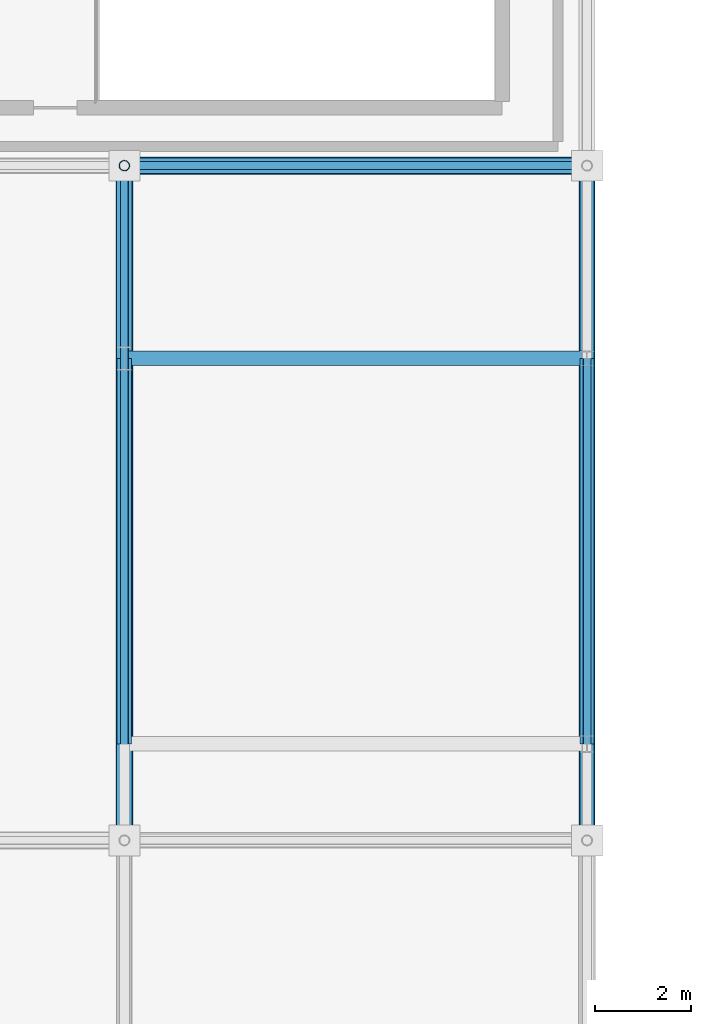
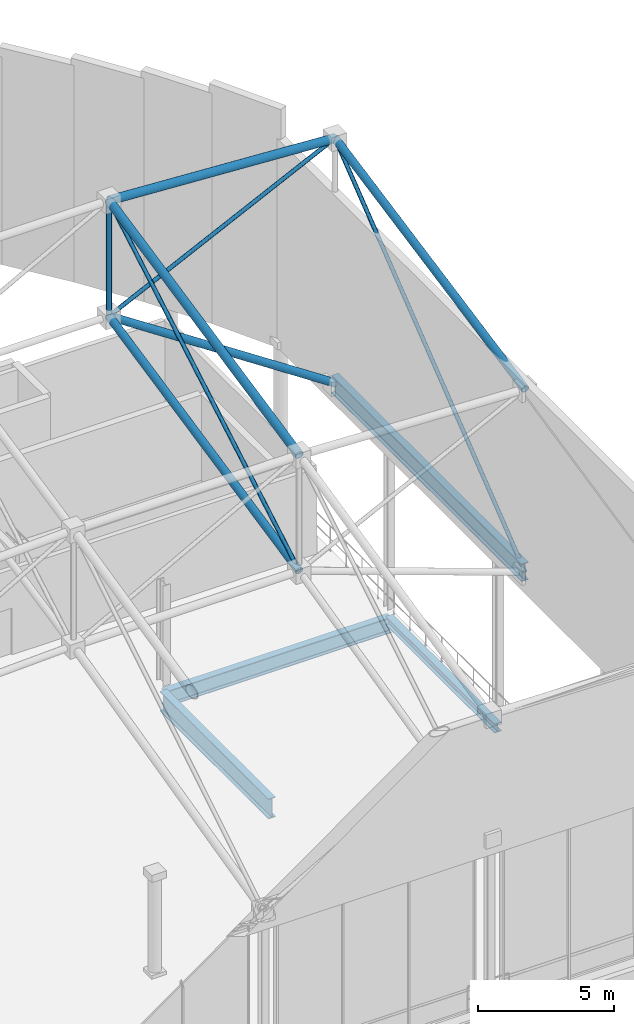
# One storey, part 119 of 193: 9 members, 4 beams.
"""IFC4 building model written with IfcOpenShell, lengths in metres."""

from ifc_helpers import new_model, si_unit, direction, frame, origin, origin_2d, place, context, subcontext, project, spatial, hollow_circle, i_section, extrude, material, material_profile, profile_set, type_object, element, save


model = new_model("IFC4")

# Units and contexts
model_context = context("Model", 3, precision=1e-05, world=origin(), true_north=direction((0.0, 1.0)))
body_context = subcontext(model_context, "Body", "Model", "MODEL_VIEW")
ifc_project = project(units=[si_unit("LENGTHUNIT", "METRE"), si_unit("AREAUNIT", "SQUARE_METRE"), si_unit("VOLUMEUNIT", "CUBIC_METRE"), si_unit("PLANEANGLEUNIT", "RADIAN"), si_unit("MASSUNIT", "GRAM", prefix="KILO")], contexts=[model_context])

# Site, building, storey
site_placement = place(None, origin())
site = spatial("IfcSite", under=ifc_project, at=site_placement, CompositionType="ELEMENT")
building_placement = place(site_placement, origin())
building = spatial("IfcBuilding", under=site, at=building_placement, Name="Danafjord Basin Convention Centre", CompositionType="ELEMENT")
storey_placement = place(building_placement, frame((0.0, 0.0, 11.39990234375)))
storey = spatial("IfcBuildingStorey", under=building, at=storey_placement, Name="L02", CompositionType="ELEMENT", Elevation=11.39990234375)

# Beams
ifc_material = material(Name="Steel S355", Category="steel")
ifc_material_profile_1 = material_profile(ifc_material, i_section(OverallWidth=0.300048828125, OverallDepth=0.699951171875, WebThickness=0.01708984375, FlangeThickness=0.031982421875, FilletRadius=0.027099609375, at=origin_2d()), Name="HEB 700")
ifc_profile_set_1 = profile_set([ifc_material_profile_1], Name="Steel S355")
beam_type_1 = type_object("IfcBeamType", Name="BEAM-BM-HEB700", PredefinedType="BEAM", material=ifc_profile_set_1)
beam_1_placement = place(storey_placement, frame((192.0, 112.0, -0.7099609375), z_axis=(1.0, 0.0, 0.0), x_axis=(0.0, 1.0, 0.0)))
element("IfcBeam", 1, at=beam_1_placement, inside=storey, type_object=beam_type_1, Name="L02 girder BM-HEB700", PredefinedType="BEAM", context=body_context, shape_type="SweptSolid", body=[
    extrude(i_section(OverallWidth=0.300048828125, OverallDepth=0.699951171875, WebThickness=0.01708984375, FlangeThickness=0.031982421875, FilletRadius=0.027099609375, at=origin_2d()), origin(), (0.0, 0.0, 1.0), 9.60009765625),
])
ifc_material_profile_2 = material_profile(ifc_material, i_section(OverallWidth=0.300048828125, OverallDepth=0.800048828125, WebThickness=0.017578125, FlangeThickness=0.032958984375, FilletRadius=0.030029296875, at=origin_2d()), Name="HEB 800")
ifc_profile_set_2 = profile_set([ifc_material_profile_2], Name="Steel S355")
beam_type_2 = type_object("IfcBeamType", Name="BEAM-BM-HEB800", PredefinedType="BEAM", material=ifc_profile_set_2)
beam_2_placement = place(storey_placement, frame((201.60009765625, 102.0, 7.650146484375), z_axis=(0.0, 1.0, 0.0), x_axis=(-1.0, 0.0, 0.0)))
element("IfcBeam", 2, at=beam_2_placement, inside=storey, type_object=beam_type_2, Name="V2 space-frame perimeter ring girder", PredefinedType="BEAM", context=body_context, shape_type="SweptSolid", body=[
    extrude(i_section(OverallWidth=0.300048828125, OverallDepth=0.800048828125, WebThickness=0.017578125, FlangeThickness=0.032958984375, FilletRadius=0.030029296875, at=origin_2d()), origin(), (0.0, 0.0, 1.0), 14.0),
])
ifc_material_profile_3 = material_profile(ifc_material, i_section(OverallWidth=0.300048828125, OverallDepth=0.89990234375, WebThickness=0.0185546875, FlangeThickness=0.034912109375, FilletRadius=0.030029296875, at=origin_2d()), Name="HEB 900")
ifc_profile_set_3 = profile_set([ifc_material_profile_3], Name="Steel S355")
beam_type_3 = type_object("IfcBeamType", Name="BEAM-BM-HEB900", PredefinedType="BEAM", material=ifc_profile_set_3)
beam_3_placement = place(storey_placement, frame((192.0, 104.0, -0.809814453125), z_axis=(0.0, 1.0, 0.0), x_axis=(-1.0, 0.0, 0.0)))
element("IfcBeam", 3, at=beam_3_placement, inside=storey, type_object=beam_type_3, Name="L02 transverse girder BM-HEB900", PredefinedType="BEAM", context=body_context, shape_type="SweptSolid", body=[
    extrude(i_section(OverallWidth=0.300048828125, OverallDepth=0.89990234375, WebThickness=0.0185546875, FlangeThickness=0.034912109375, FilletRadius=0.030029296875, at=origin_2d()), origin(), (0.0, 0.0, 1.0), 8.0),
])
ifc_material_profile_4 = material_profile(ifc_material, i_section(OverallWidth=0.300048828125, OverallDepth=0.39990234375, WebThickness=0.013427734375, FlangeThickness=0.02392578125, FilletRadius=0.027099609375, at=origin_2d()), Name="HEB 400")
ifc_profile_set_4 = profile_set([ifc_material_profile_4], Name="Steel S355")
beam_type_4 = type_object("IfcBeamType", Name="BEAM-SP-HEB400", PredefinedType="SPANDREL", material=ifc_profile_set_4)
beam_4_placement = place(storey_placement, frame((201.60009765625, 104.0, -0.559814453125), z_axis=(0.0, 1.0, 0.0), x_axis=(-1.0, 0.0, 0.0)))
element("IfcBeam", 4, at=beam_4_placement, inside=storey, type_object=beam_type_4, Name="L02 transverse girder SP-HEB400", PredefinedType="SPANDREL", context=body_context, shape_type="SweptSolid", body=[
    extrude(i_section(OverallWidth=0.300048828125, OverallDepth=0.39990234375, WebThickness=0.013427734375, FlangeThickness=0.02392578125, FilletRadius=0.027099609375, at=origin_2d()), origin(), (0.0, 0.0, 1.0), 8.0),
])

# Members
ifc_material_profile_5 = material_profile(ifc_material, hollow_circle(Radius=0.161865234375, WallThickness=0.01611328125, at=origin_2d()), Name="CHS 323.9x16.0")
ifc_profile_set_5 = profile_set([ifc_material_profile_5], Name="Steel S355")
member_type_1 = type_object("IfcMemberType", Name="MEM-CH-CHS324", PredefinedType="CHORD", material=ifc_profile_set_5)
member_1_placement = place(storey_placement, frame((192.0, 102.0, 11.059814453125), z_axis=(0.0, 0.978472048473, 0.206379384526), x_axis=(-1.0, 0.0, 0.0)))
element("IfcMember", 5, at=member_1_placement, inside=storey, type_object=member_type_1, Name="V2 roof truss transverse bottom chord", PredefinedType="CHORD", context=body_context, shape_type="SweptSolid", body=[
    extrude(hollow_circle(Radius=0.161865234375, WallThickness=0.01611328125, at=origin_2d()), origin(), (0.0, 0.0, 1.0), 14.30810546875),
])
member_2_placement = place(storey_placement, frame((192.0, 116.0, 14.0126953125), z_axis=(0.833550670851, 0.0, -0.552443009843), x_axis=(0.0, 1.0, 0.0)))
element("IfcMember", 6, at=member_2_placement, inside=storey, type_object=member_type_1, Name="V2 roof truss longitudinal bottom chord", PredefinedType="CHORD", context=body_context, shape_type="SweptSolid", body=[
    extrude(hollow_circle(Radius=0.161865234375, WallThickness=0.01611328125, at=origin_2d()), origin(), (0.0, 0.0, 1.0), 11.51708984375),
])
member_3_placement = place(storey_placement, frame((201.60009765625, 102.0, 15.8662109375), z_axis=(0.0, 0.980796506597, 0.19503387564), x_axis=(-1.0, 0.0, 0.0)))
element("IfcMember", 7, at=member_3_placement, inside=storey, type_object=member_type_1, Name="V2 roof truss transverse top chord", PredefinedType="CHORD", context=body_context, shape_type="SweptSolid", body=[
    extrude(hollow_circle(Radius=0.161865234375, WallThickness=0.01611328125, at=origin_2d()), origin(), (0.0, 0.0, 1.0), 14.274169921875),
])
ifc_material_profile_6 = material_profile(ifc_material, hollow_circle(Radius=0.177734375, WallThickness=0.01611328125, at=origin_2d()), Name="CHS 355.6x16.0")
ifc_profile_set_6 = profile_set([ifc_material_profile_6], Name="Steel S355")
member_type_2 = type_object("IfcMemberType", Name="MEM-CH-CHS355", PredefinedType="CHORD", material=ifc_profile_set_6)
member_4_placement = place(storey_placement, frame((192.0, 102.0, 16.260009765625), z_axis=(0.0, 0.97847549403, 0.206363048005), x_axis=(-1.0, 0.0, 0.0)))
element("IfcMember", 8, at=member_4_placement, inside=storey, type_object=member_type_2, Name="V2 roof truss transverse top chord", PredefinedType="CHORD", context=body_context, shape_type="SweptSolid", body=[
    extrude(hollow_circle(Radius=0.177734375, WallThickness=0.01611328125, at=origin_2d()), origin(), (0.0, 0.0, 1.0), 14.307861328125),
])
member_5_placement = place(storey_placement, frame((192.0, 116.0, 19.212646484375), z_axis=(0.998287828511, 0.0, -0.058492832432), x_axis=(0.0, 1.0, 0.0)))
element("IfcMember", 9, at=member_5_placement, inside=storey, type_object=member_type_2, Name="V2 roof truss longitudinal top chord", PredefinedType="CHORD", context=body_context, shape_type="SweptSolid", body=[
    extrude(hollow_circle(Radius=0.177734375, WallThickness=0.01611328125, at=origin_2d()), origin(), (0.0, 0.0, 1.0), 9.616455078125),
])
ifc_material_profile_7 = material_profile(ifc_material, hollow_circle(Radius=0.109619140625, WallThickness=0.010009765625, at=origin_2d()), Name="CHS 219.1x10.0")
ifc_profile_set_7 = profile_set([ifc_material_profile_7], Name="Steel S355")
member_type_3 = type_object("IfcMemberType", Name="MEM-ST-CHS219", PredefinedType="STRUT", material=ifc_profile_set_7)
member_6_placement = place(storey_placement, frame((192.0, 116.0, 14.0126953125), z_axis=(0.0, 0.0, 1.0), x_axis=(1.0, 0.0, 0.0)))
element("IfcMember", 10, at=member_6_placement, inside=storey, type_object=member_type_3, Name="V2 roof truss vertical strut", PredefinedType="STRUT", context=body_context, shape_type="SweptSolid", body=[
    extrude(hollow_circle(Radius=0.109619140625, WallThickness=0.010009765625, at=origin_2d()), origin(), (0.0, 0.0, 1.0), 5.199951171875),
])
ifc_material_profile_8 = material_profile(ifc_material, hollow_circle(Radius=0.084228515625, WallThickness=0.008056640625, at=origin_2d()), Name="CHS 168.3x8.0")
ifc_profile_set_8 = profile_set([ifc_material_profile_8], Name="Steel S355")
member_type_4 = type_object("IfcMemberType", Name="MEM-WB-CHS168", PredefinedType="MEMBER", material=ifc_profile_set_8)
member_7_placement = place(storey_placement, frame((192.0, 102.0, 11.059814453125), z_axis=(0.0, 0.864150330313, 0.503233749485), x_axis=(-1.0, 0.0, 0.0)))
element("IfcMember", 11, at=member_7_placement, inside=storey, type_object=member_type_4, Name="V2 space-frame transverse web", PredefinedType="MEMBER", context=body_context, shape_type="SweptSolid", body=[
    extrude(hollow_circle(Radius=0.084228515625, WallThickness=0.008056640625, at=origin_2d()), origin(), (0.0, 0.0, 1.0), 16.200927734375),
])
member_8_placement = place(storey_placement, frame((192.0, 116.0, 14.0126953125), z_axis=(0.900444333578, 0.0, 0.434971265864), x_axis=(0.0, 1.0, 0.0)))
element("IfcMember", 12, at=member_8_placement, inside=storey, type_object=member_type_4, Name="V2 space-frame longitudinal web", PredefinedType="MEMBER", context=body_context, shape_type="SweptSolid", body=[
    extrude(hollow_circle(Radius=0.084228515625, WallThickness=0.008056640625, at=origin_2d()), origin(), (0.0, 0.0, 1.0), 10.66162109375),
])
member_9_placement = place(storey_placement, frame((201.60009765625, 102.0, 7.650146484375), z_axis=(0.0, 0.786318338822, 0.617821551932), x_axis=(-1.0, 0.0, 0.0)))
element("IfcMember", 13, at=member_9_placement, inside=storey, type_object=member_type_4, Name="V2 space-frame transverse web", PredefinedType="MEMBER", context=body_context, shape_type="SweptSolid", body=[
    extrude(hollow_circle(Radius=0.084228515625, WallThickness=0.008056640625, at=origin_2d()), origin(), (0.0, 0.0, 1.0), 17.804443359375),
])

save(model, "model.ifc")
